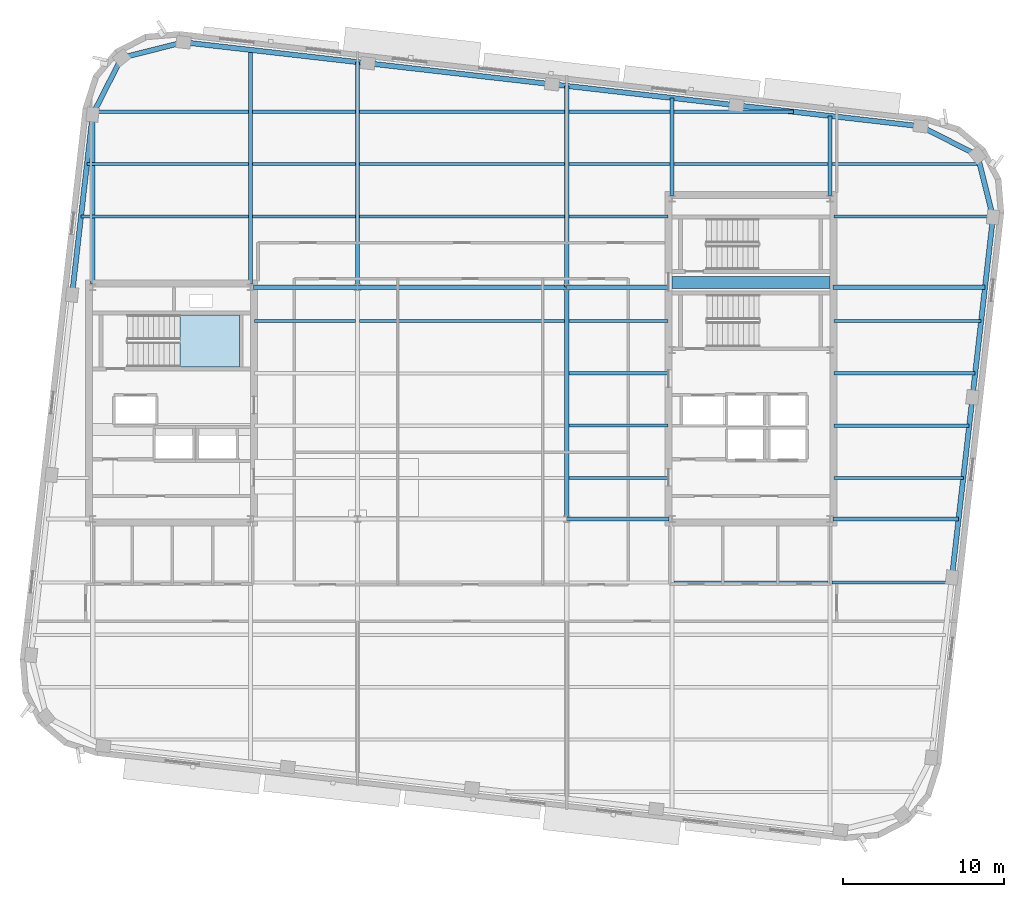
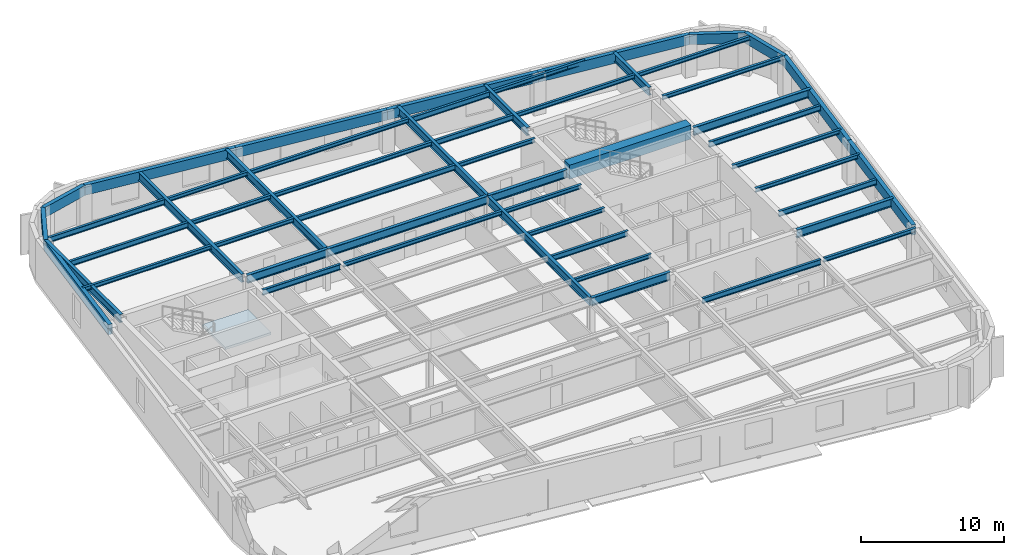
# One storey, part 4 of 14: 53 beams, 1 slab, 1 element without a shape of its own.
"""IFC4 building model written with IfcOpenShell, lengths in metres."""

from ifc_helpers import new_model, si_unit, direction, frame, origin, origin_2d, place, context, subcontext, project, spatial, polyline, rectangle, hollow_rectangle, i_section, outline, extrude, material, layer, layer_set, material_profile, profile_set, type_object, element, aggregate, save


model = new_model("IFC4")

# Units and contexts
model_context = context("Model", 3, precision=1e-05, world=origin(), true_north=direction((0.0, 1.0)))
body_context = subcontext(model_context, "Body", "Model", "MODEL_VIEW")
ifc_project = project(units=[si_unit("LENGTHUNIT", "METRE"), si_unit("AREAUNIT", "SQUARE_METRE"), si_unit("VOLUMEUNIT", "CUBIC_METRE"), si_unit("PLANEANGLEUNIT", "RADIAN"), si_unit("MASSUNIT", "GRAM", prefix="KILO")], contexts=[model_context])

# Site, building, storey
site_placement = place(None, origin())
site = spatial("IfcSite", under=ifc_project, at=site_placement, CompositionType="ELEMENT")
building_placement = place(site_placement, origin())
building = spatial("IfcBuilding", under=site, at=building_placement, Name="Kolvaren Arena Tower", CompositionType="ELEMENT")
storey_placement = place(building_placement, frame((0.0, 0.0, 247.199951171875)))
storey = spatial("IfcBuildingStorey", under=building, at=storey_placement, Name="L60", CompositionType="ELEMENT", Elevation=247.199951171875)

# Beams
ifc_material_1 = material(Name="Steel CSA G40.21 350W", Category="steel")
ifc_material_profile_1 = material_profile(ifc_material_1, i_section(OverallWidth=0.193115234375, OverallDepth=0.462890625, WebThickness=0.0107421875, FlangeThickness=0.0205078125, FilletRadius=0.012939453125, at=origin_2d()), Name="W460x113")
ifc_profile_set_1 = profile_set([ifc_material_profile_1], Name="Steel CSA G40.21 350W")
beam_type_1 = type_object("IfcBeamType", Name="BEAM-F2", PredefinedType="BEAM", material=ifc_profile_set_1)
beam_1_placement = place(storey_placement, frame((50.677490234375, 15.5, 3.24853515625), z_axis=(1.0, 0.0, 0.0), x_axis=(0.0, 1.0, 0.0)))
element("IfcBeam", 1, at=beam_1_placement, inside=storey, type_object=beam_type_1, Name="Composite Floor Beam (L60)", PredefinedType="BEAM", context=body_context, shape_type="SweptSolid", body=[
    extrude(i_section(OverallWidth=0.193115234375, OverallDepth=0.462890625, WebThickness=0.0107421875, FlangeThickness=0.0205078125, FilletRadius=0.012939453125, at=origin_2d()), origin(), (0.0, 0.0, 1.0), 9.544921875),
])
beam_2_placement = place(storey_placement, frame((60.594970703125, 22.0, 3.24853515625), z_axis=(1.0, 0.0, 0.0), x_axis=(0.0, 1.0, 0.0)))
element("IfcBeam", 2, at=beam_2_placement, inside=storey, type_object=beam_type_1, Name="Composite Floor Beam (L60)", PredefinedType="BEAM", context=body_context, shape_type="SweptSolid", body=[
    extrude(i_section(OverallWidth=0.193115234375, OverallDepth=0.462890625, WebThickness=0.0107421875, FlangeThickness=0.0205078125, FilletRadius=0.012939453125, at=origin_2d()), origin(), (0.0, 0.0, 1.0), 8.041015625),
])
beam_3_placement = place(storey_placement, frame((44.12744140625, 25.25, 3.24853515625), z_axis=(1.0, 0.0, 0.0), x_axis=(0.0, 1.0, 0.0)))
element("IfcBeam", 3, at=beam_3_placement, inside=storey, type_object=beam_type_1, Name="Composite Floor Beam (L60)", PredefinedType="BEAM", context=body_context, shape_type="SweptSolid", body=[
    extrude(i_section(OverallWidth=0.193115234375, OverallDepth=0.462890625, WebThickness=0.0107421875, FlangeThickness=0.0205078125, FilletRadius=0.012939453125, at=origin_2d()), origin(), (0.0, 0.0, 1.0), 6.177490234375),
])
beam_4_placement = place(storey_placement, frame((24.594970703125, 31.75, 3.24853515625), z_axis=(1.0, 0.0, 0.0), x_axis=(0.0, 1.0, 0.0)))
element("IfcBeam", 4, at=beam_4_placement, inside=storey, type_object=beam_type_1, Name="Composite Floor Beam (L60)", PredefinedType="BEAM", context=body_context, shape_type="SweptSolid", body=[
    extrude(i_section(OverallWidth=0.193115234375, OverallDepth=0.462890625, WebThickness=0.0107421875, FlangeThickness=0.0205078125, FilletRadius=0.012939453125, at=origin_2d()), origin(), (0.0, 0.0, 1.0), 6.277587890625),
])
beam_5_placement = place(storey_placement, frame((60.594970703125, 31.75, 3.24853515625), z_axis=(1.0, 0.0, 0.0), x_axis=(0.0, 1.0, 0.0)))
element("IfcBeam", 5, at=beam_5_placement, inside=storey, type_object=beam_type_1, Name="Composite Floor Beam (L60)", PredefinedType="BEAM", context=body_context, shape_type="SweptSolid", body=[
    extrude(i_section(OverallWidth=0.193115234375, OverallDepth=0.462890625, WebThickness=0.0107421875, FlangeThickness=0.0205078125, FilletRadius=0.012939453125, at=origin_2d()), origin(), (0.0, 0.0, 1.0), 9.15185546875),
])
beam_6_placement = place(storey_placement, frame((31.12744140625, 38.25, 3.24853515625), z_axis=(1.0, 0.0, 0.0), x_axis=(0.0, 1.0, 0.0)))
element("IfcBeam", 6, at=beam_6_placement, inside=storey, type_object=beam_type_1, Name="Composite Floor Beam (L60)", PredefinedType="BEAM", context=body_context, shape_type="SweptSolid", body=[
    extrude(i_section(OverallWidth=0.193115234375, OverallDepth=0.462890625, WebThickness=0.0107421875, FlangeThickness=0.0205078125, FilletRadius=0.012939453125, at=origin_2d()), origin(), (0.0, 0.0, 1.0), 12.7451171875),
])
beam_7_placement = place(storey_placement, frame((14.193359375, 41.5, 3.24853515625), z_axis=(1.0, 0.0, 0.0), x_axis=(0.0, 1.0, 0.0)))
element("IfcBeam", 7, at=beam_7_placement, inside=storey, type_object=beam_type_1, Name="Composite Floor Beam (L60)", PredefinedType="BEAM", context=body_context, shape_type="SweptSolid", body=[
    extrude(i_section(OverallWidth=0.193115234375, OverallDepth=0.462890625, WebThickness=0.0107421875, FlangeThickness=0.0205078125, FilletRadius=0.012939453125, at=origin_2d()), origin(), (0.0, 0.0, 1.0), 10.029052734375),
])
beam_8_placement = place(storey_placement, frame((44.12744140625, 41.5, 3.24853515625), z_axis=(1.0, 0.0, 0.0), x_axis=(0.0, 1.0, 0.0)))
element("IfcBeam", 8, at=beam_8_placement, inside=storey, type_object=beam_type_1, Name="Composite Floor Beam (L60)", PredefinedType="BEAM", context=body_context, shape_type="SweptSolid", body=[
    extrude(i_section(OverallWidth=0.193115234375, OverallDepth=0.462890625, WebThickness=0.0107421875, FlangeThickness=0.0205078125, FilletRadius=0.012939453125, at=origin_2d()), origin(), (0.0, 0.0, 1.0), 6.295166015625),
])
beam_9_placement = place(storey_placement, frame((14.632080078125, 44.75, 3.24853515625), z_axis=(1.0, 0.0, 0.0), x_axis=(0.0, 1.0, 0.0)))
element("IfcBeam", 9, at=beam_9_placement, inside=storey, type_object=beam_type_1, Name="Composite Floor Beam (L60)", PredefinedType="BEAM", context=body_context, shape_type="SweptSolid", body=[
    extrude(i_section(OverallWidth=0.193115234375, OverallDepth=0.462890625, WebThickness=0.0107421875, FlangeThickness=0.0205078125, FilletRadius=0.012939453125, at=origin_2d()), origin(), (0.0, 0.0, 1.0), 9.59033203125),
])
beam_10_placement = place(storey_placement, frame((44.12744140625, 44.75, 3.24853515625), z_axis=(1.0, 0.0, 0.0), x_axis=(0.0, 1.0, 0.0)))
element("IfcBeam", 10, at=beam_10_placement, inside=storey, type_object=beam_type_1, Name="Composite Floor Beam (L60)", PredefinedType="BEAM", context=body_context, shape_type="SweptSolid", body=[
    extrude(i_section(OverallWidth=0.193115234375, OverallDepth=0.462890625, WebThickness=0.0107421875, FlangeThickness=0.0205078125, FilletRadius=0.012939453125, at=origin_2d()), origin(), (0.0, 0.0, 1.0), 6.295166015625),
])
ifc_material_2 = material(Name="Concrete 60 MPa", Category="concrete")
ifc_material_profile_2 = material_profile(ifc_material_2, rectangle(XDim=0.75, YDim=1.199951171875, at=origin_2d()), Name="RC-750x1200")
ifc_profile_set_2 = profile_set([ifc_material_profile_2], Name="Concrete 60 MPa")
beam_type_2 = type_object("IfcBeamType", Name="CB-CORE-2", PredefinedType="BEAM", material=ifc_profile_set_2)
beam_11_placement = place(storey_placement, frame((50.550048828125, 34.14990234375, 3.150146484375), z_axis=(1.0, 0.0, 0.0), x_axis=(0.0, 1.0, 0.0)))
element("IfcBeam", 11, at=beam_11_placement, inside=storey, type_object=beam_type_2, Name="East Core Coupling Beam (L60)", PredefinedType="BEAM", context=body_context, shape_type="SweptSolid", body=[
    extrude(rectangle(XDim=0.75, YDim=1.199951171875, at=origin_2d()), origin(), (0.0, 0.0, 1.0), 9.800048828125),
])
ifc_material_profile_3 = material_profile(ifc_material_1, i_section(OverallWidth=0.2548828125, OverallDepth=0.695068359375, WebThickness=0.01708984375, FlangeThickness=0.02978515625, FilletRadius=0.01611328125, at=origin_2d()), Name="W690x217")
ifc_profile_set_3 = profile_set([ifc_material_profile_3], Name="Steel CSA G40.21 350W")
beam_type_3 = type_object("IfcBeamType", Name="GIRD-T2", PredefinedType="BEAM", material=ifc_profile_set_3)
beam_12_placement = place(storey_placement, frame((44.0, 19.449951171875, 3.132568359375), z_axis=(1.0, 0.0, 0.0), x_axis=(0.0, 1.0, 0.0)))
element("IfcBeam", 12, at=beam_12_placement, inside=storey, type_object=beam_type_3, Name="Primary Floor Girder (L60)", PredefinedType="BEAM", context=body_context, shape_type="SweptSolid", body=[
    extrude(i_section(OverallWidth=0.2548828125, OverallDepth=0.695068359375, WebThickness=0.01708984375, FlangeThickness=0.02978515625, FilletRadius=0.01611328125, at=origin_2d()), origin(), (0.0, 0.0, 1.0), 6.344970703125),
])
beam_13_placement = place(storey_placement, frame((60.554931640625, 19.449951171875, 3.132568359375), z_axis=(1.0, 0.0, 0.0), x_axis=(0.0, 1.0, 0.0)))
element("IfcBeam", 13, at=beam_13_placement, inside=storey, type_object=beam_type_3, Name="Primary Floor Girder (L60)", PredefinedType="BEAM", context=body_context, shape_type="SweptSolid", body=[
    extrude(i_section(OverallWidth=0.2548828125, OverallDepth=0.695068359375, WebThickness=0.01708984375, FlangeThickness=0.02978515625, FilletRadius=0.01611328125, at=origin_2d()), origin(), (0.0, 0.0, 1.0), 7.790283203125),
])
beam_14_placement = place(storey_placement, frame((24.554931640625, 33.85009765625, 3.132568359375), z_axis=(1.0, 0.0, 0.0), x_axis=(0.0, 1.0, 0.0)))
element("IfcBeam", 14, at=beam_14_placement, inside=storey, type_object=beam_type_3, Name="Primary Floor Girder (L60)", PredefinedType="BEAM", context=body_context, shape_type="SweptSolid", body=[
    extrude(i_section(OverallWidth=0.2548828125, OverallDepth=0.695068359375, WebThickness=0.01708984375, FlangeThickness=0.02978515625, FilletRadius=0.01611328125, at=origin_2d()), origin(), (0.0, 0.0, 1.0), 6.445068359375),
])
beam_15_placement = place(storey_placement, frame((31.0, 33.85009765625, 3.132568359375), z_axis=(1.0, 0.0, 0.0), x_axis=(0.0, 1.0, 0.0)))
element("IfcBeam", 15, at=beam_15_placement, inside=storey, type_object=beam_type_3, Name="Primary Floor Girder (L60)", PredefinedType="BEAM", context=body_context, shape_type="SweptSolid", body=[
    extrude(i_section(OverallWidth=0.2548828125, OverallDepth=0.695068359375, WebThickness=0.01708984375, FlangeThickness=0.02978515625, FilletRadius=0.01611328125, at=origin_2d()), origin(), (0.0, 0.0, 1.0), 13.0),
])
beam_16_placement = place(storey_placement, frame((44.0, 33.85009765625, 3.132568359375), z_axis=(1.0, 0.0, 0.0), x_axis=(0.0, 1.0, 0.0)))
element("IfcBeam", 16, at=beam_16_placement, inside=storey, type_object=beam_type_3, Name="Primary Floor Girder (L60)", PredefinedType="BEAM", context=body_context, shape_type="SweptSolid", body=[
    extrude(i_section(OverallWidth=0.2548828125, OverallDepth=0.695068359375, WebThickness=0.01708984375, FlangeThickness=0.02978515625, FilletRadius=0.01611328125, at=origin_2d()), origin(), (0.0, 0.0, 1.0), 6.344970703125),
])
beam_17_placement = place(storey_placement, frame((60.554931640625, 33.85009765625, 3.132568359375), z_axis=(1.0, 0.0, 0.0), x_axis=(0.0, 1.0, 0.0)))
element("IfcBeam", 17, at=beam_17_placement, inside=storey, type_object=beam_type_3, Name="Primary Floor Girder (L60)", PredefinedType="BEAM", context=body_context, shape_type="SweptSolid", body=[
    extrude(i_section(OverallWidth=0.2548828125, OverallDepth=0.695068359375, WebThickness=0.01708984375, FlangeThickness=0.02978515625, FilletRadius=0.01611328125, at=origin_2d()), origin(), (0.0, 0.0, 1.0), 9.43115234375),
])
beam_18_placement = place(storey_placement, frame((14.550048828125, 34.054931640625, 3.132568359375), z_axis=(0.0, 1.0, 0.0), x_axis=(-1.0, 0.0, 0.0)))
element("IfcBeam", 18, at=beam_18_placement, inside=storey, type_object=beam_type_3, Name="Primary Floor Girder (L60)", PredefinedType="BEAM", context=body_context, shape_type="SweptSolid", body=[
    extrude(i_section(OverallWidth=0.2548828125, OverallDepth=0.695068359375, WebThickness=0.01708984375, FlangeThickness=0.02978515625, FilletRadius=0.01611328125, at=origin_2d()), origin(), (0.0, 0.0, 1.0), 10.53466796875),
])
beam_19_placement = place(storey_placement, frame((24.35009765625, 34.054931640625, 3.132568359375), z_axis=(0.0, 1.0, 0.0), x_axis=(-1.0, 0.0, 0.0)))
element("IfcBeam", 19, at=beam_19_placement, inside=storey, type_object=beam_type_3, Name="Primary Floor Girder (L60)", PredefinedType="BEAM", context=body_context, shape_type="SweptSolid", body=[
    extrude(i_section(OverallWidth=0.2548828125, OverallDepth=0.695068359375, WebThickness=0.01708984375, FlangeThickness=0.02978515625, FilletRadius=0.01611328125, at=origin_2d()), origin(), (0.0, 0.0, 1.0), 14.538818359375),
])
beam_20_placement = place(storey_placement, frame((31.0, 33.85009765625, 3.132568359375), z_axis=(0.0, 1.0, 0.0), x_axis=(-1.0, 0.0, 0.0)))
element("IfcBeam", 20, at=beam_20_placement, inside=storey, type_object=beam_type_3, Name="Primary Floor Girder (L60)", PredefinedType="BEAM", context=body_context, shape_type="SweptSolid", body=[
    extrude(i_section(OverallWidth=0.2548828125, OverallDepth=0.695068359375, WebThickness=0.01708984375, FlangeThickness=0.02978515625, FilletRadius=0.01611328125, at=origin_2d()), origin(), (0.0, 0.0, 1.0), 13.986083984375),
])
beam_21_placement = place(storey_placement, frame((44.0, 19.449951171875, 3.132568359375), z_axis=(0.0, 1.0, 0.0), x_axis=(-1.0, 0.0, 0.0)))
element("IfcBeam", 21, at=beam_21_placement, inside=storey, type_object=beam_type_3, Name="Primary Floor Girder (L60)", PredefinedType="BEAM", context=body_context, shape_type="SweptSolid", body=[
    extrude(i_section(OverallWidth=0.2548828125, OverallDepth=0.695068359375, WebThickness=0.01708984375, FlangeThickness=0.02978515625, FilletRadius=0.01611328125, at=origin_2d()), origin(), (0.0, 0.0, 1.0), 14.400146484375),
])
beam_22_placement = place(storey_placement, frame((44.0, 33.85009765625, 3.132568359375), z_axis=(0.0, 1.0, 0.0), x_axis=(-1.0, 0.0, 0.0)))
element("IfcBeam", 22, at=beam_22_placement, inside=storey, type_object=beam_type_3, Name="Primary Floor Girder (L60)", PredefinedType="BEAM", context=body_context, shape_type="SweptSolid", body=[
    extrude(i_section(OverallWidth=0.2548828125, OverallDepth=0.695068359375, WebThickness=0.01708984375, FlangeThickness=0.02978515625, FilletRadius=0.01611328125, at=origin_2d()), origin(), (0.0, 0.0, 1.0), 12.5048828125),
])
beam_23_placement = place(storey_placement, frame((50.550048828125, 39.554931640625, 3.132568359375), z_axis=(0.0, 1.0, 0.0), x_axis=(-1.0, 0.0, 0.0)))
element("IfcBeam", 23, at=beam_23_placement, inside=storey, type_object=beam_type_3, Name="Primary Floor Girder (L60)", PredefinedType="BEAM", context=body_context, shape_type="SweptSolid", body=[
    extrude(i_section(OverallWidth=0.2548828125, OverallDepth=0.695068359375, WebThickness=0.01708984375, FlangeThickness=0.02978515625, FilletRadius=0.01611328125, at=origin_2d()), origin(), (0.0, 0.0, 1.0), 6.0537109375),
])
beam_24_placement = place(storey_placement, frame((60.35009765625, 39.554931640625, 3.132568359375), z_axis=(0.0, 1.0, 0.0), x_axis=(-1.0, 0.0, 0.0)))
element("IfcBeam", 24, at=beam_24_placement, inside=storey, type_object=beam_type_3, Name="Primary Floor Girder (L60)", PredefinedType="BEAM", context=body_context, shape_type="SweptSolid", body=[
    extrude(i_section(OverallWidth=0.2548828125, OverallDepth=0.695068359375, WebThickness=0.01708984375, FlangeThickness=0.02978515625, FilletRadius=0.01611328125, at=origin_2d()), origin(), (0.0, 0.0, 1.0), 4.937255859375),
])
ifc_material_profile_4 = material_profile(ifc_material_1, i_section(OverallWidth=0.202880859375, OverallDepth=0.346923828125, WebThickness=0.0078125, FlangeThickness=0.013427734375, FilletRadius=0.010986328125, at=origin_2d()), Name="W360x64")
ifc_profile_set_4 = profile_set([ifc_material_profile_4], Name="Steel CSA G40.21 350W")
beam_type_4 = type_object("IfcBeamType", Name="JOIST-01", PredefinedType="JOIST", material=ifc_profile_set_4)
beam_25_placement = place(storey_placement, frame((60.4775390625, 15.5, 3.306640625), z_axis=(1.0, 0.0, 0.0), x_axis=(0.0, 1.0, 0.0)))
element("IfcBeam", 25, at=beam_25_placement, inside=storey, type_object=beam_type_4, Name="Composite Floor Joist (L60)", PredefinedType="JOIST", context=body_context, shape_type="SweptSolid", body=[
    extrude(i_section(OverallWidth=0.202880859375, OverallDepth=0.346923828125, WebThickness=0.0078125, FlangeThickness=0.013427734375, FilletRadius=0.010986328125, at=origin_2d()), origin(), (0.0, 0.0, 1.0), 7.417724609375),
])
beam_26_placement = place(storey_placement, frame((44.12744140625, 22.0, 3.306640625), z_axis=(1.0, 0.0, 0.0), x_axis=(0.0, 1.0, 0.0)))
element("IfcBeam", 26, at=beam_26_placement, inside=storey, type_object=beam_type_4, Name="Composite Floor Joist (L60)", PredefinedType="JOIST", context=body_context, shape_type="SweptSolid", body=[
    extrude(i_section(OverallWidth=0.202880859375, OverallDepth=0.346923828125, WebThickness=0.0078125, FlangeThickness=0.013427734375, FilletRadius=0.010986328125, at=origin_2d()), origin(), (0.0, 0.0, 1.0), 6.177490234375),
])
beam_27_placement = place(storey_placement, frame((60.594970703125, 25.25, 3.306640625), z_axis=(1.0, 0.0, 0.0), x_axis=(0.0, 1.0, 0.0)))
element("IfcBeam", 27, at=beam_27_placement, inside=storey, type_object=beam_type_4, Name="Composite Floor Joist (L60)", PredefinedType="JOIST", context=body_context, shape_type="SweptSolid", body=[
    extrude(i_section(OverallWidth=0.202880859375, OverallDepth=0.346923828125, WebThickness=0.0078125, FlangeThickness=0.013427734375, FilletRadius=0.010986328125, at=origin_2d()), origin(), (0.0, 0.0, 1.0), 8.4111328125),
])
beam_28_placement = place(storey_placement, frame((44.12744140625, 28.5, 3.306640625), z_axis=(1.0, 0.0, 0.0), x_axis=(0.0, 1.0, 0.0)))
element("IfcBeam", 28, at=beam_28_placement, inside=storey, type_object=beam_type_4, Name="Composite Floor Joist (L60)", PredefinedType="JOIST", context=body_context, shape_type="SweptSolid", body=[
    extrude(i_section(OverallWidth=0.202880859375, OverallDepth=0.346923828125, WebThickness=0.0078125, FlangeThickness=0.013427734375, FilletRadius=0.010986328125, at=origin_2d()), origin(), (0.0, 0.0, 1.0), 6.177490234375),
])
beam_29_placement = place(storey_placement, frame((60.594970703125, 28.5, 3.306640625), z_axis=(1.0, 0.0, 0.0), x_axis=(0.0, 1.0, 0.0)))
element("IfcBeam", 29, at=beam_29_placement, inside=storey, type_object=beam_type_4, Name="Composite Floor Joist (L60)", PredefinedType="JOIST", context=body_context, shape_type="SweptSolid", body=[
    extrude(i_section(OverallWidth=0.202880859375, OverallDepth=0.346923828125, WebThickness=0.0078125, FlangeThickness=0.013427734375, FilletRadius=0.010986328125, at=origin_2d()), origin(), (0.0, 0.0, 1.0), 8.781494140625),
])
beam_30_placement = place(storey_placement, frame((31.12744140625, 31.75, 3.306640625), z_axis=(1.0, 0.0, 0.0), x_axis=(0.0, 1.0, 0.0)))
element("IfcBeam", 30, at=beam_30_placement, inside=storey, type_object=beam_type_4, Name="Composite Floor Joist (L60)", PredefinedType="JOIST", context=body_context, shape_type="SweptSolid", body=[
    extrude(i_section(OverallWidth=0.202880859375, OverallDepth=0.346923828125, WebThickness=0.0078125, FlangeThickness=0.013427734375, FilletRadius=0.010986328125, at=origin_2d()), origin(), (0.0, 0.0, 1.0), 12.7451171875),
])
beam_31_placement = place(storey_placement, frame((44.12744140625, 31.75, 3.306640625), z_axis=(1.0, 0.0, 0.0), x_axis=(0.0, 1.0, 0.0)))
element("IfcBeam", 31, at=beam_31_placement, inside=storey, type_object=beam_type_4, Name="Composite Floor Joist (L60)", PredefinedType="JOIST", context=body_context, shape_type="SweptSolid", body=[
    extrude(i_section(OverallWidth=0.202880859375, OverallDepth=0.346923828125, WebThickness=0.0078125, FlangeThickness=0.013427734375, FilletRadius=0.010986328125, at=origin_2d()), origin(), (0.0, 0.0, 1.0), 6.177490234375),
])
beam_32_placement = place(storey_placement, frame((13.822998046875, 38.25, 3.306640625), z_axis=(1.0, 0.0, 0.0), x_axis=(0.0, 1.0, 0.0)))
element("IfcBeam", 32, at=beam_32_placement, inside=storey, type_object=beam_type_4, Name="Composite Floor Joist (L60)", PredefinedType="JOIST", context=body_context, shape_type="SweptSolid", body=[
    extrude(i_section(OverallWidth=0.202880859375, OverallDepth=0.346923828125, WebThickness=0.0078125, FlangeThickness=0.013427734375, FilletRadius=0.010986328125, at=origin_2d()), origin(), (0.0, 0.0, 1.0), 10.3994140625),
])
beam_33_placement = place(storey_placement, frame((24.4775390625, 38.25, 3.306640625), z_axis=(1.0, 0.0, 0.0), x_axis=(0.0, 1.0, 0.0)))
element("IfcBeam", 33, at=beam_33_placement, inside=storey, type_object=beam_type_4, Name="Composite Floor Joist (L60)", PredefinedType="JOIST", context=body_context, shape_type="SweptSolid", body=[
    extrude(i_section(OverallWidth=0.202880859375, OverallDepth=0.346923828125, WebThickness=0.0078125, FlangeThickness=0.013427734375, FilletRadius=0.010986328125, at=origin_2d()), origin(), (0.0, 0.0, 1.0), 6.39501953125),
])
beam_34_placement = place(storey_placement, frame((44.12744140625, 38.25, 3.306640625), z_axis=(1.0, 0.0, 0.0), x_axis=(0.0, 1.0, 0.0)))
element("IfcBeam", 34, at=beam_34_placement, inside=storey, type_object=beam_type_4, Name="Composite Floor Joist (L60)", PredefinedType="JOIST", context=body_context, shape_type="SweptSolid", body=[
    extrude(i_section(OverallWidth=0.202880859375, OverallDepth=0.346923828125, WebThickness=0.0078125, FlangeThickness=0.013427734375, FilletRadius=0.010986328125, at=origin_2d()), origin(), (0.0, 0.0, 1.0), 6.177490234375),
])
beam_35_placement = place(storey_placement, frame((60.594970703125, 38.25, 3.306640625), z_axis=(1.0, 0.0, 0.0), x_axis=(0.0, 1.0, 0.0)))
element("IfcBeam", 35, at=beam_35_placement, inside=storey, type_object=beam_type_4, Name="Composite Floor Joist (L60)", PredefinedType="JOIST", context=body_context, shape_type="SweptSolid", body=[
    extrude(i_section(OverallWidth=0.202880859375, OverallDepth=0.346923828125, WebThickness=0.0078125, FlangeThickness=0.013427734375, FilletRadius=0.010986328125, at=origin_2d()), origin(), (0.0, 0.0, 1.0), 9.8759765625),
])
beam_36_placement = place(storey_placement, frame((24.4775390625, 41.5, 3.306640625), z_axis=(1.0, 0.0, 0.0), x_axis=(0.0, 1.0, 0.0)))
element("IfcBeam", 36, at=beam_36_placement, inside=storey, type_object=beam_type_4, Name="Composite Floor Joist (L60)", PredefinedType="JOIST", context=body_context, shape_type="SweptSolid", body=[
    extrude(i_section(OverallWidth=0.202880859375, OverallDepth=0.346923828125, WebThickness=0.0078125, FlangeThickness=0.013427734375, FilletRadius=0.010986328125, at=origin_2d()), origin(), (0.0, 0.0, 1.0), 6.39501953125),
])
beam_37_placement = place(storey_placement, frame((31.12744140625, 41.5, 3.306640625), z_axis=(1.0, 0.0, 0.0), x_axis=(0.0, 1.0, 0.0)))
element("IfcBeam", 37, at=beam_37_placement, inside=storey, type_object=beam_type_4, Name="Composite Floor Joist (L60)", PredefinedType="JOIST", context=body_context, shape_type="SweptSolid", body=[
    extrude(i_section(OverallWidth=0.202880859375, OverallDepth=0.346923828125, WebThickness=0.0078125, FlangeThickness=0.013427734375, FilletRadius=0.010986328125, at=origin_2d()), origin(), (0.0, 0.0, 1.0), 12.7451171875),
])
beam_38_placement = place(storey_placement, frame((50.677490234375, 41.5, 3.306640625), z_axis=(1.0, 0.0, 0.0), x_axis=(0.0, 1.0, 0.0)))
element("IfcBeam", 38, at=beam_38_placement, inside=storey, type_object=beam_type_4, Name="Composite Floor Joist (L60)", PredefinedType="JOIST", context=body_context, shape_type="SweptSolid", body=[
    extrude(i_section(OverallWidth=0.202880859375, OverallDepth=0.346923828125, WebThickness=0.0078125, FlangeThickness=0.013427734375, FilletRadius=0.010986328125, at=origin_2d()), origin(), (0.0, 0.0, 1.0), 9.544921875),
])
beam_39_placement = place(storey_placement, frame((60.4775390625, 41.5, 3.306640625), z_axis=(1.0, 0.0, 0.0), x_axis=(0.0, 1.0, 0.0)))
element("IfcBeam", 39, at=beam_39_placement, inside=storey, type_object=beam_type_4, Name="Composite Floor Joist (L60)", PredefinedType="JOIST", context=body_context, shape_type="SweptSolid", body=[
    extrude(i_section(OverallWidth=0.202880859375, OverallDepth=0.346923828125, WebThickness=0.0078125, FlangeThickness=0.013427734375, FilletRadius=0.010986328125, at=origin_2d()), origin(), (0.0, 0.0, 1.0), 9.17919921875),
])
beam_40_placement = place(storey_placement, frame((24.4775390625, 44.75, 3.306640625), z_axis=(1.0, 0.0, 0.0), x_axis=(0.0, 1.0, 0.0)))
element("IfcBeam", 40, at=beam_40_placement, inside=storey, type_object=beam_type_4, Name="Composite Floor Joist (L60)", PredefinedType="JOIST", context=body_context, shape_type="SweptSolid", body=[
    extrude(i_section(OverallWidth=0.202880859375, OverallDepth=0.346923828125, WebThickness=0.0078125, FlangeThickness=0.013427734375, FilletRadius=0.010986328125, at=origin_2d()), origin(), (0.0, 0.0, 1.0), 6.39501953125),
])
beam_41_placement = place(storey_placement, frame((31.12744140625, 44.75, 3.306640625), z_axis=(1.0, 0.0, 0.0), x_axis=(0.0, 1.0, 0.0)))
element("IfcBeam", 41, at=beam_41_placement, inside=storey, type_object=beam_type_4, Name="Composite Floor Joist (L60)", PredefinedType="JOIST", context=body_context, shape_type="SweptSolid", body=[
    extrude(i_section(OverallWidth=0.202880859375, OverallDepth=0.346923828125, WebThickness=0.0078125, FlangeThickness=0.013427734375, FilletRadius=0.010986328125, at=origin_2d()), origin(), (0.0, 0.0, 1.0), 12.7451171875),
])
beam_42_placement = place(storey_placement, frame((50.677490234375, 44.75, 3.306640625), z_axis=(1.0, 0.0, 0.0), x_axis=(0.0, 1.0, 0.0)))
element("IfcBeam", 42, at=beam_42_placement, inside=storey, type_object=beam_type_4, Name="Composite Floor Joist (L60)", PredefinedType="JOIST", context=body_context, shape_type="SweptSolid", body=[
    extrude(i_section(OverallWidth=0.202880859375, OverallDepth=0.346923828125, WebThickness=0.0078125, FlangeThickness=0.013427734375, FilletRadius=0.010986328125, at=origin_2d()), origin(), (0.0, 0.0, 1.0), 7.40869140625),
])
ifc_material_3 = material(Name="Steel CSA G40.21 350WT", Category="steel")
ifc_material_profile_5 = material_profile(ifc_material_3, hollow_rectangle(XDim=0.320068359375, YDim=0.860107421875, WallThickness=0.01806640625, at=origin_2d()), Name="HSS 860x320x18")
ifc_profile_set_5 = profile_set([ifc_material_profile_5], Name="Steel CSA G40.21 350WT")
beam_type_5 = type_object("IfcBeamType", Name="SPAND-02", PredefinedType="SPANDREL", material=ifc_profile_set_5)
beam_43_placement = place(storey_placement, frame((67.931396484375, 15.816162109375, 3.050048828125), z_axis=(0.113199459318, 0.993572283435, 0.0), x_axis=(-0.993572283435, 0.113199459318, 0.0)))
element("IfcBeam", 43, at=beam_43_placement, inside=storey, type_object=beam_type_5, Name="Perimeter Spandrel Beam (L60)", PredefinedType="SPANDREL", context=body_context, shape_type="SweptSolid", body=[
    extrude(hollow_rectangle(XDim=0.320068359375, YDim=0.860107421875, WallThickness=0.01806640625, at=origin_2d()), origin(), (0.0, 0.0, 1.0), 11.266845703125),
])
beam_44_placement = place(storey_placement, frame((69.206787109375, 27.010498046875, 3.050048828125), z_axis=(0.113201896536, 0.993572005755, 0.0), x_axis=(-0.993572005755, 0.113201896536, 0.0)))
element("IfcBeam", 44, at=beam_44_placement, inside=storey, type_object=beam_type_5, Name="Perimeter Spandrel Beam (L60)", PredefinedType="SPANDREL", context=body_context, shape_type="SweptSolid", body=[
    extrude(hollow_rectangle(XDim=0.320068359375, YDim=0.860107421875, WallThickness=0.01806640625, at=origin_2d()), origin(), (0.0, 0.0, 1.0), 11.2666015625),
])
for number, where, z_axis, x_axis, name in (
    (45, (70.482177734375, 38.20458984375, 3.050048828125), (-0.242956154878, 0.970037270834, 0.0), (-0.970037270834, -0.242956154878, 0.0), "Perimeter Spandrel Beam (L60)"),
    (46, (69.519775390625, 42.047119140625, 3.050048828125), (-0.890535676656, 0.454913407807, 0.0), (-0.454913407807, -0.890535676656, 0.0), "Perimeter Spandrel Beam (L60)"),
):
    element("IfcBeam", number, at=place(storey_placement, frame(where, z_axis=z_axis, x_axis=x_axis)), inside=storey, type_object=beam_type_5, Name=name, PredefinedType="SPANDREL", context=body_context, shape_type="SweptSolid", body=[
        extrude(hollow_rectangle(XDim=0.320068359375, YDim=0.860107421875, WallThickness=0.01806640625, at=origin_2d()), origin(), (0.0, 0.0, 1.0), 3.961181640625),
    ])
beam_45_placement = place(storey_placement, frame((65.9921875, 43.84912109375, 3.050048828125), z_axis=(-0.993571397957, 0.113207231049, 0.0), x_axis=(-0.113207231049, -0.993571397957, 0.0)))
element("IfcBeam", 47, at=beam_45_placement, inside=storey, type_object=beam_type_5, Name="Perimeter Spandrel Beam (L60)", PredefinedType="SPANDREL", context=body_context, shape_type="SweptSolid", body=[
    extrude(hollow_rectangle(XDim=0.320068359375, YDim=0.860107421875, WallThickness=0.01806640625, at=origin_2d()), origin(), (0.0, 0.0, 1.0), 11.524658203125),
])
for number, where, z_axis, x_axis, name in (
    (48, (54.54150390625, 45.15380859375, 3.050048828125), (-0.99357166944, 0.113204848336, 0.0), (-0.113204848336, -0.99357166944, 0.0), "Perimeter Spandrel Beam (L60)"),
    (49, (43.090576171875, 46.45849609375, 3.050048828125), (-0.99357166944, 0.113204848336, 0.0), (-0.113204848336, -0.99357166944, 0.0), "Perimeter Spandrel Beam (L60)"),
    (50, (31.6396484375, 47.76318359375, 3.050048828125), (-0.99357166944, 0.113204848336, 0.0), (-0.113204848336, -0.99357166944, 0.0), "Perimeter Spandrel Beam (L60)"),
):
    element("IfcBeam", number, at=place(storey_placement, frame(where, z_axis=z_axis, x_axis=x_axis)), inside=storey, type_object=beam_type_5, Name=name, PredefinedType="SPANDREL", context=body_context, shape_type="SweptSolid", body=[
        extrude(hollow_rectangle(XDim=0.320068359375, YDim=0.860107421875, WallThickness=0.01806640625, at=origin_2d()), origin(), (0.0, 0.0, 1.0), 11.52490234375),
    ])
for number, where, z_axis, x_axis, name in (
    (51, (20.188720703125, 49.06787109375, 3.050048828125), (-0.970037270834, -0.242956154878, 0.0), (0.242956154878, -0.970037270834, 0.0), "Perimeter Spandrel Beam (L60)"),
    (52, (16.34619140625, 48.10546875, 3.050048828125), (-0.454913407807, -0.890535676656, 0.0), (0.890535676656, -0.454913407807, 0.0), "Perimeter Spandrel Beam (L60)"),
):
    element("IfcBeam", number, at=place(storey_placement, frame(where, z_axis=z_axis, x_axis=x_axis)), inside=storey, type_object=beam_type_5, Name=name, PredefinedType="SPANDREL", context=body_context, shape_type="SweptSolid", body=[
        extrude(hollow_rectangle(XDim=0.320068359375, YDim=0.860107421875, WallThickness=0.01806640625, at=origin_2d()), origin(), (0.0, 0.0, 1.0), 3.961181640625),
    ])
beam_46_placement = place(storey_placement, frame((14.544189453125, 44.577880859375, 3.050048828125), z_axis=(-0.113201896536, -0.993572005755, 0.0), x_axis=(0.993572005755, -0.113201896536, 0.0)))
element("IfcBeam", 53, at=beam_46_placement, inside=storey, type_object=beam_type_5, Name="Perimeter Spandrel Beam (L60)", PredefinedType="SPANDREL", context=body_context, shape_type="SweptSolid", body=[
    extrude(hollow_rectangle(XDim=0.320068359375, YDim=0.860107421875, WallThickness=0.01806640625, at=origin_2d()), origin(), (0.0, 0.0, 1.0), 11.2666015625),
])

# Stair, slab
ifc_material_4 = material(Name="Concrete 45 MPa", Category="concrete")
stair_type = type_object("IfcStairType", Name="STAIR-CORE-165", PredefinedType="HALF_TURN_STAIR", material=ifc_material_4)
stair_placement = place(storey_placement, origin())
stair = element("IfcStair", 54, at=stair_placement, inside=storey, type_object=stair_type, Name="L60 ST-W1", PredefinedType="HALF_TURN_STAIR")
ifc_layer = layer(ifc_material_4, 0.199951171875)
ifc_layer_set = layer_set([ifc_layer], Name="Concrete 45 MPa")
slab_type = type_object("IfcSlabType", Name="SLAB-LAND", PredefinedType="LANDING", material=ifc_layer_set)
slab_placement = place(storey_placement, frame((0.0, 0.0, 1.675048828125)))
slab = element("IfcSlab", 55, at=slab_placement, type_object=slab_type, Name="ST-W1 landing 1", PredefinedType="LANDING", context=body_context, shape_type="SweptSolid", body=[
    extrude(outline(polyline([(19.9599609375, 28.89990234375), (23.659912109375, 28.89990234375), (23.659912109375, 32.1298828125), (19.9599609375, 32.1298828125), (19.9599609375, 28.89990234375)])), origin(), (0.0, 0.0, 1.0), 0.199951171875),
])
aggregate(stair, [slab])

save(model, "model.ifc")
